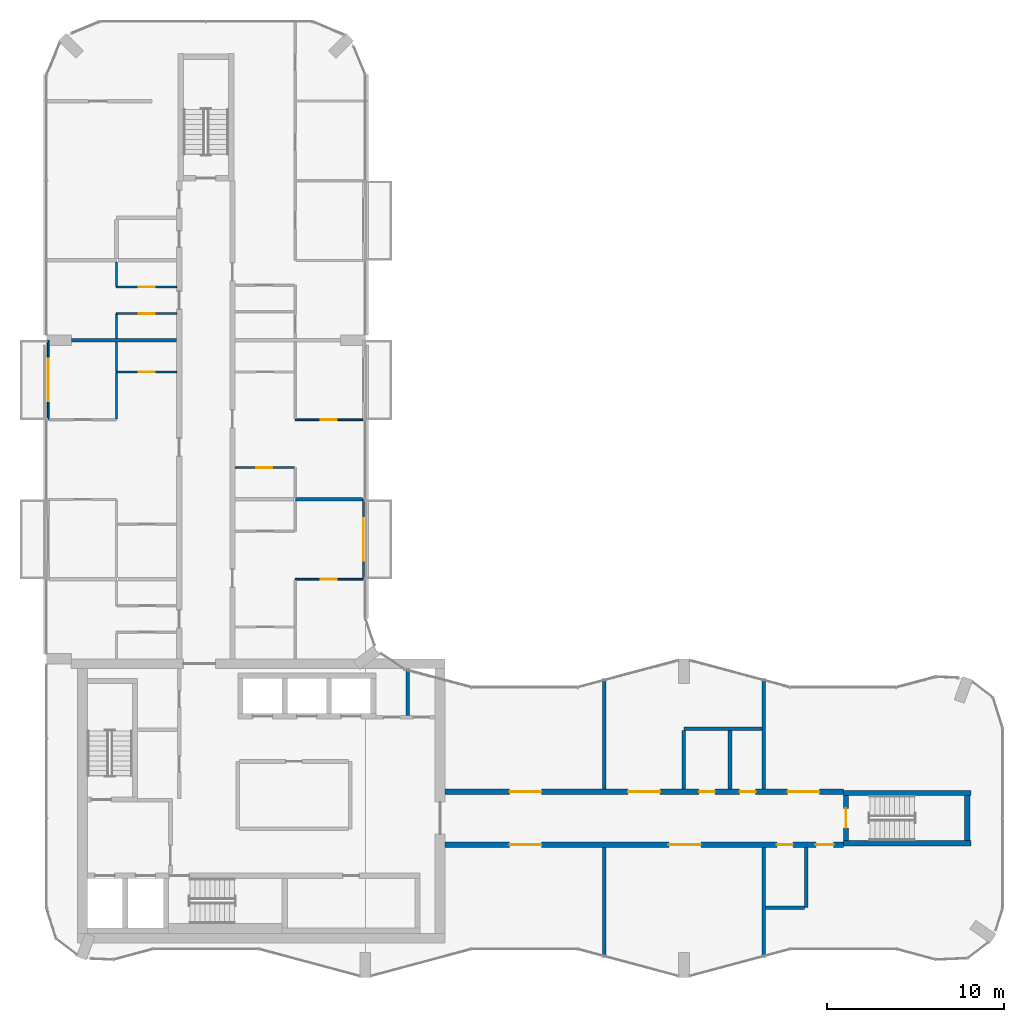
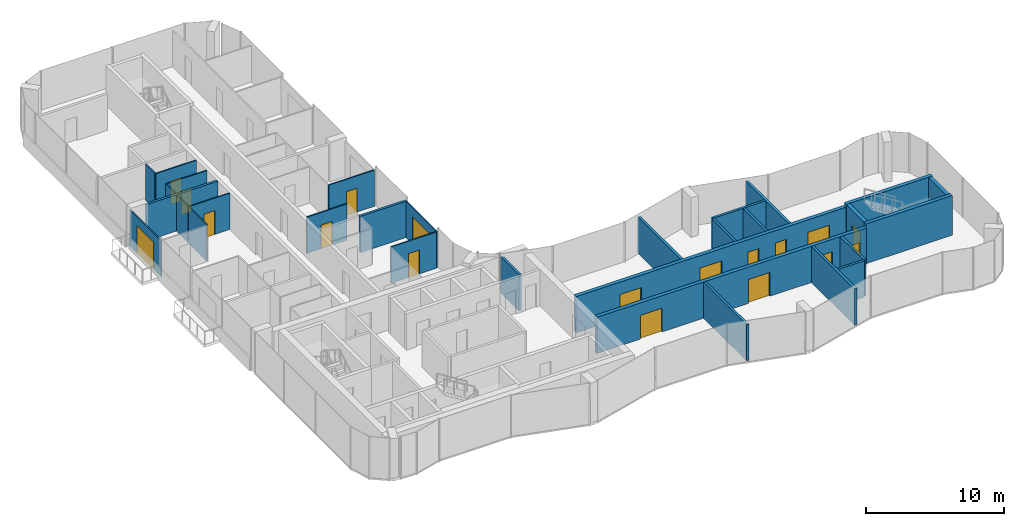
# One storey, part 11 of 16: 30 walls, 18 doors, 18 openings.
"""IFC4 building model written with IfcOpenShell, lengths in metres."""

from ifc_helpers import new_model, si_unit, direction, frame, frame_2d, origin, place, context, subcontext, project, spatial, rectangle, extrude, material, layer, layer_set, type_object, element, fill, save


model = new_model("IFC4")

# Units and contexts
model_context = context("Model", 3, precision=1e-05, world=origin(), true_north=direction((0.0, 1.0)))
body_context = subcontext(model_context, "Body", "Model", "MODEL_VIEW")
ifc_project = project(units=[si_unit("LENGTHUNIT", "METRE"), si_unit("AREAUNIT", "SQUARE_METRE"), si_unit("VOLUMEUNIT", "CUBIC_METRE"), si_unit("PLANEANGLEUNIT", "RADIAN"), si_unit("MASSUNIT", "GRAM", prefix="KILO")], contexts=[model_context])

# Site, building, storey
site_placement = place(None, origin())
site = spatial("IfcSite", under=ifc_project, at=site_placement, CompositionType="ELEMENT")
building_placement = place(site_placement, origin())
building = spatial("IfcBuilding", under=site, at=building_placement, Name="Plateau Cross Towers", CompositionType="ELEMENT")
storey_placement = place(building_placement, frame((0.0, 0.0, 181.39990234375)))
storey = spatial("IfcBuildingStorey", under=building, at=storey_placement, Name="L47", CompositionType="ELEMENT", Elevation=181.39990234375)

# Wall, opening, door
ifc_material_1 = material(Name="Aluminium framed glazing", Category="aluminium")
ifc_layer_1 = layer(ifc_material_1, 0.10009765625)
ifc_layer_set_1 = layer_set([ifc_layer_1], Name="Aluminium framed glazing")
wall_type_1 = type_object("IfcWallType", Name="Balcony screen wall 100", PredefinedType="STANDARD", material=ifc_layer_set_1)
wall_1_placement = place(storey_placement, frame((0.10009765625, 31.5, 0.0), z_axis=(0.0, 0.0, 1.0), x_axis=(0.0, 1.0, 0.0)))
wall_1 = element("IfcWall", 1, at=wall_1_placement, inside=storey, type_object=wall_type_1, Name="Balcony screen wall A-BAL-L47-02", PredefinedType="STANDARD", context=body_context, shape_type="SweptSolid", body=[
    extrude(rectangle(XDim=4.5, YDim=0.10009765625, at=frame_2d((2.25, 0.0))), origin(), (0.0, 0.0, 1.0), 3.2001953125),
])
opening_1_placement = place(wall_1_placement, frame((1.050048828125, 0.0, 0.0)))
opening_1 = element("IfcOpeningElement", 2, at=opening_1_placement, cuts=wall_1, Name="Opening D-B24", PredefinedType="OPENING", context=body_context, shape_type="SweptSolid", body=[
    extrude(rectangle(XDim=2.39990234375, YDim=2.39990234375, at=frame_2d((1.199951171875, 1.199951171875))), frame((0.0, 0.06005859375, 0.0), z_axis=(0.0, -1.0, 0.0), x_axis=(1.0, 0.0, 0.0)), (0.0, 0.0, 1.0), 0.1201171875),
])
ifc_material_2 = material(Name="Aluminium frame, double glazing", Category="aluminium")
door_type_1 = type_object("IfcDoorType", Name="Balcony sliding door 2400", OperationType="NOTDEFINED", PredefinedType="DOOR", material=ifc_material_2)
door_1_placement = place(opening_1_placement, origin())
door_1 = element("IfcDoor", 3, at=door_1_placement, inside=storey, type_object=door_type_1, Name="Balcony door A-BAL-L47-02", OperationType="SINGLE_SWING_LEFT", OverallHeight=2.39990234375, OverallWidth=2.39990234375, PredefinedType="DOOR", context=body_context, shape_type="SweptSolid", body=[
    extrude(rectangle(XDim=2.39990234375, YDim=2.39990234375, at=frame_2d((1.199951171875, 1.199951171875))), frame((0.0, 0.02490234375, 0.0), z_axis=(0.0, -1.0, 0.0), x_axis=(1.0, 0.0, 0.0)), (0.0, 0.0, 1.0), 0.050048828125),
])
fill(opening_1, door_1)

wall_2_placement = place(storey_placement, frame((17.89990234375, 27.0, 0.0), z_axis=(0.0, 0.0, 1.0), x_axis=(0.0, -1.0, 0.0)))
wall_2 = element("IfcWall", 4, at=wall_2_placement, inside=storey, type_object=wall_type_1, Name="Balcony screen wall A-BAL-L47-03", PredefinedType="STANDARD", context=body_context, shape_type="SweptSolid", body=[
    extrude(rectangle(XDim=4.5, YDim=0.10009765625, at=frame_2d((2.25, 0.0))), origin(), (0.0, 0.0, 1.0), 3.2001953125),
])
opening_2_placement = place(wall_2_placement, frame((1.050048828125, 0.0, 0.0)))
opening_2 = element("IfcOpeningElement", 5, at=opening_2_placement, cuts=wall_2, Name="Opening D-B24", PredefinedType="OPENING", context=body_context, shape_type="SweptSolid", body=[
    extrude(rectangle(XDim=2.39990234375, YDim=2.39990234375, at=frame_2d((1.199951171875, 1.199951171875))), frame((0.0, 0.06005859375, 0.0), z_axis=(0.0, -1.0, 0.0), x_axis=(1.0, 0.0, 0.0)), (0.0, 0.0, 1.0), 0.1201171875),
])
door_2_placement = place(opening_2_placement, origin())
door_2 = element("IfcDoor", 6, at=door_2_placement, inside=storey, type_object=door_type_1, Name="Balcony door A-BAL-L47-03", OperationType="SINGLE_SWING_LEFT", OverallHeight=2.39990234375, OverallWidth=2.39990234375, PredefinedType="DOOR", context=body_context, shape_type="SweptSolid", body=[
    extrude(rectangle(XDim=2.39990234375, YDim=2.39990234375, at=frame_2d((1.199951171875, 1.199951171875))), frame((0.0, 0.02490234375, 0.0), z_axis=(0.0, -1.0, 0.0), x_axis=(1.0, 0.0, 0.0)), (0.0, 0.0, 1.0), 0.050048828125),
])
fill(opening_2, door_2)

# Wall
ifc_material_3 = material(Name="Concrete block, plastered both sides", Category="concrete")
ifc_layer_2 = layer(ifc_material_3, 0.199951171875)
ifc_layer_set_2 = layer_set([ifc_layer_2], Name="Concrete block, plastered both sides")
wall_type_2 = type_object("IfcWallType", Name="Core partition 200", PredefinedType="PARTITIONING", material=ifc_layer_set_2)
wall_3_placement = place(storey_placement, frame((20.39990234375, 14.800048828125, 0.0), z_axis=(0.0, 0.0, 1.0), x_axis=(0.0, 1.0, 0.0)))
element("IfcWall", 7, at=wall_3_placement, inside=storey, type_object=wall_type_2, Name="Core partition", PredefinedType="PARTITIONING", context=body_context, shape_type="SweptSolid", body=[
    extrude(rectangle(XDim=2.64990234375, YDim=0.199951171875, at=frame_2d((1.324951171875, 0.0))), origin(), (0.0, 0.0, 1.0), 3.2001953125),
])

# Wall, openings, doors
ifc_material_4 = material(Name="Concrete C60/75", Category="concrete")
ifc_layer_3 = layer(ifc_material_4, 0.300048828125)
ifc_layer_set_3 = layer_set([ifc_layer_3], Name="Concrete C60/75")
wall_type_3 = type_object("IfcWallType", Name="Corridor wall 300", PredefinedType="SHEAR", material=ifc_layer_set_3)
wall_4_placement = place(storey_placement, frame((22.5, 7.5, 0.0), z_axis=(0.0, 0.0, 1.0), x_axis=(1.0, 0.0, 0.0)))
wall_4 = element("IfcWall", 8, at=wall_4_placement, inside=storey, type_object=wall_type_3, Name="A-cw-S1@L47", PredefinedType="SHEAR", context=body_context, shape_type="SweptSolid", body=[
    extrude(rectangle(XDim=22.5, YDim=0.300048828125, at=frame_2d((11.25, 0.0))), origin(), (0.0, 0.0, 1.0), 3.2001953125),
])
opening_3_placement = place(wall_4_placement, frame((3.64990234375, 0.0, 0.0)))
opening_3 = element("IfcOpeningElement", 9, at=opening_3_placement, cuts=wall_4, Name="Opening 47-01", PredefinedType="OPENING", context=body_context, shape_type="SweptSolid", body=[
    extrude(rectangle(XDim=1.800048828125, YDim=2.10009765625, at=frame_2d((0.89990234375, 1.050048828125))), frame((0.0, 0.159912109375, 0.0), z_axis=(0.0, -1.0, 0.0), x_axis=(1.0, 0.0, 0.0)), (0.0, 0.0, 1.0), 0.320068359375),
])
opening_4_placement = place(wall_4_placement, frame((12.64990234375, 0.0, 0.0)))
opening_4 = element("IfcOpeningElement", 10, at=opening_4_placement, cuts=wall_4, Name="Opening 47-02", PredefinedType="OPENING", context=body_context, shape_type="SweptSolid", body=[
    extrude(rectangle(XDim=1.800048828125, YDim=2.10009765625, at=frame_2d((0.89990234375, 1.050048828125))), frame((0.0, 0.159912109375, 0.0), z_axis=(0.0, -1.0, 0.0), x_axis=(1.0, 0.0, 0.0)), (0.0, 0.0, 1.0), 0.320068359375),
])
opening_5_placement = place(wall_4_placement, frame((18.75, 0.0, 0.0)))
opening_5 = element("IfcOpeningElement", 11, at=opening_5_placement, cuts=wall_4, Name="Opening 47-03", PredefinedType="OPENING", context=body_context, shape_type="SweptSolid", body=[
    extrude(rectangle(XDim=0.89990234375, YDim=2.10009765625, at=frame_2d((0.449951171875, 1.050048828125))), frame((0.0, 0.159912109375, 0.0), z_axis=(0.0, -1.0, 0.0), x_axis=(1.0, 0.0, 0.0)), (0.0, 0.0, 1.0), 0.320068359375),
])
opening_6_placement = place(wall_4_placement, frame((20.949951171875, 0.0, 0.0)))
opening_6 = element("IfcOpeningElement", 12, at=opening_6_placement, cuts=wall_4, Name="Opening 47-04", PredefinedType="OPENING", context=body_context, shape_type="SweptSolid", body=[
    extrude(rectangle(XDim=1.0, YDim=2.10009765625, at=frame_2d((0.5, 1.050048828125))), frame((0.0, 0.159912109375, 0.0), z_axis=(0.0, -1.0, 0.0), x_axis=(1.0, 0.0, 0.0)), (0.0, 0.0, 1.0), 0.320068359375),
])
ifc_material_5 = material(Name="Timber, fire-resisting leaf", Category="wood")
door_type_2 = type_object("IfcDoorType", Name="Flat entrance door 1000", OperationType="NOTDEFINED", PredefinedType="DOOR", material=ifc_material_5)
door_3_placement = place(opening_6_placement, origin())
door_3 = element("IfcDoor", 13, at=door_3_placement, inside=storey, type_object=door_type_2, Name="Door 47-04", OperationType="SINGLE_SWING_RIGHT", OverallHeight=2.10009765625, OverallWidth=1.0, PredefinedType="DOOR", context=body_context, shape_type="SweptSolid", body=[
    extrude(rectangle(XDim=1.0, YDim=2.10009765625, at=frame_2d((0.5, 1.050048828125))), frame((0.0, 0.02490234375, 0.0), z_axis=(0.0, -1.0, 0.0), x_axis=(1.0, 0.0, 0.0)), (0.0, 0.0, 1.0), 0.050048828125),
])
fill(opening_6, door_3)
ifc_material_6 = material(Name="Timber, fire-resisting leaves", Category="wood")
door_type_3 = type_object("IfcDoorType", Name="Flat floor fire door pair 1800", OperationType="NOTDEFINED", PredefinedType="DOOR", material=ifc_material_6)
door_4_placement = place(opening_3_placement, origin())
door_4 = element("IfcDoor", 14, at=door_4_placement, inside=storey, type_object=door_type_3, Name="Door 47-01", OperationType="SINGLE_SWING_LEFT", OverallHeight=2.10009765625, OverallWidth=1.800048828125, PredefinedType="DOOR", context=body_context, shape_type="SweptSolid", body=[
    extrude(rectangle(XDim=1.800048828125, YDim=2.10009765625, at=frame_2d((0.89990234375, 1.050048828125))), frame((0.0, 0.02490234375, 0.0), z_axis=(0.0, -1.0, 0.0), x_axis=(1.0, 0.0, 0.0)), (0.0, 0.0, 1.0), 0.050048828125),
])
fill(opening_3, door_4)
door_5_placement = place(opening_4_placement, origin())
door_5 = element("IfcDoor", 15, at=door_5_placement, inside=storey, type_object=door_type_3, Name="Door 47-02", OperationType="SINGLE_SWING_RIGHT", OverallHeight=2.10009765625, OverallWidth=1.800048828125, PredefinedType="DOOR", context=body_context, shape_type="SweptSolid", body=[
    extrude(rectangle(XDim=1.800048828125, YDim=2.10009765625, at=frame_2d((0.89990234375, 1.050048828125))), frame((0.0, 0.02490234375, 0.0), z_axis=(0.0, -1.0, 0.0), x_axis=(1.0, 0.0, 0.0)), (0.0, 0.0, 1.0), 0.050048828125),
])
fill(opening_4, door_5)
door_type_4 = type_object("IfcDoorType", Name="Flat floor service door 900", OperationType="NOTDEFINED", PredefinedType="DOOR", material=ifc_material_5)
door_6_placement = place(opening_5_placement, origin())
door_6 = element("IfcDoor", 16, at=door_6_placement, inside=storey, type_object=door_type_4, Name="Door 47-03", OperationType="SINGLE_SWING_RIGHT", OverallHeight=2.10009765625, OverallWidth=0.89990234375, PredefinedType="DOOR", context=body_context, shape_type="SweptSolid", body=[
    extrude(rectangle(XDim=0.89990234375, YDim=2.10009765625, at=frame_2d((0.449951171875, 1.050048828125))), frame((0.0, 0.02490234375, 0.0), z_axis=(0.0, -1.0, 0.0), x_axis=(1.0, 0.0, 0.0)), (0.0, 0.0, 1.0), 0.050048828125),
])
fill(opening_5, door_6)

wall_5_placement = place(storey_placement, frame((22.5, 10.5, 0.0), z_axis=(0.0, 0.0, 1.0), x_axis=(1.0, 0.0, 0.0)))
wall_5 = element("IfcWall", 17, at=wall_5_placement, inside=storey, type_object=wall_type_3, Name="A-cw-S2@L47", PredefinedType="SHEAR", context=body_context, shape_type="SweptSolid", body=[
    extrude(rectangle(XDim=22.5, YDim=0.300048828125, at=frame_2d((11.25, 0.0))), origin(), (0.0, 0.0, 1.0), 3.2001953125),
])
opening_7_placement = place(wall_5_placement, frame((3.64990234375, 0.0, 0.0)))
opening_7 = element("IfcOpeningElement", 18, at=opening_7_placement, cuts=wall_5, Name="Opening 47-05", PredefinedType="OPENING", context=body_context, shape_type="SweptSolid", body=[
    extrude(rectangle(XDim=1.800048828125, YDim=2.10009765625, at=frame_2d((0.89990234375, 1.050048828125))), frame((0.0, 0.159912109375, 0.0), z_axis=(0.0, -1.0, 0.0), x_axis=(1.0, 0.0, 0.0)), (0.0, 0.0, 1.0), 0.320068359375),
])
opening_8_placement = place(wall_5_placement, frame((10.35009765625, 0.0, 0.0)))
opening_8 = element("IfcOpeningElement", 19, at=opening_8_placement, cuts=wall_5, Name="Opening 47-06", PredefinedType="OPENING", context=body_context, shape_type="SweptSolid", body=[
    extrude(rectangle(XDim=1.800048828125, YDim=2.10009765625, at=frame_2d((0.89990234375, 1.050048828125))), frame((0.0, 0.159912109375, 0.0), z_axis=(0.0, -1.0, 0.0), x_axis=(1.0, 0.0, 0.0)), (0.0, 0.0, 1.0), 0.320068359375),
])
opening_9_placement = place(wall_5_placement, frame((14.35009765625, 0.0, 0.0)))
opening_9 = element("IfcOpeningElement", 20, at=opening_9_placement, cuts=wall_5, Name="Opening 47-07", PredefinedType="OPENING", context=body_context, shape_type="SweptSolid", body=[
    extrude(rectangle(XDim=0.89990234375, YDim=2.10009765625, at=frame_2d((0.449951171875, 1.050048828125))), frame((0.0, 0.159912109375, 0.0), z_axis=(0.0, -1.0, 0.0), x_axis=(1.0, 0.0, 0.0)), (0.0, 0.0, 1.0), 0.320068359375),
])
opening_10_placement = place(wall_5_placement, frame((16.64990234375, 0.0, 0.0)))
opening_10 = element("IfcOpeningElement", 21, at=opening_10_placement, cuts=wall_5, Name="Opening 47-08", PredefinedType="OPENING", context=body_context, shape_type="SweptSolid", body=[
    extrude(rectangle(XDim=0.89990234375, YDim=2.10009765625, at=frame_2d((0.449951171875, 1.050048828125))), frame((0.0, 0.159912109375, 0.0), z_axis=(0.0, -1.0, 0.0), x_axis=(1.0, 0.0, 0.0)), (0.0, 0.0, 1.0), 0.320068359375),
])
opening_11_placement = place(wall_5_placement, frame((19.35009765625, 0.0, 0.0)))
opening_11 = element("IfcOpeningElement", 22, at=opening_11_placement, cuts=wall_5, Name="Opening 47-09", PredefinedType="OPENING", context=body_context, shape_type="SweptSolid", body=[
    extrude(rectangle(XDim=1.800048828125, YDim=2.10009765625, at=frame_2d((0.89990234375, 1.050048828125))), frame((0.0, 0.159912109375, 0.0), z_axis=(0.0, -1.0, 0.0), x_axis=(1.0, 0.0, 0.0)), (0.0, 0.0, 1.0), 0.320068359375),
])
door_7_placement = place(opening_7_placement, origin())
door_7 = element("IfcDoor", 23, at=door_7_placement, inside=storey, type_object=door_type_3, Name="Door 47-05", OperationType="SINGLE_SWING_LEFT", OverallHeight=2.10009765625, OverallWidth=1.800048828125, PredefinedType="DOOR", context=body_context, shape_type="SweptSolid", body=[
    extrude(rectangle(XDim=1.800048828125, YDim=2.10009765625, at=frame_2d((0.89990234375, 1.050048828125))), frame((0.0, 0.02490234375, 0.0), z_axis=(0.0, -1.0, 0.0), x_axis=(1.0, 0.0, 0.0)), (0.0, 0.0, 1.0), 0.050048828125),
])
fill(opening_7, door_7)
door_8_placement = place(opening_8_placement, origin())
door_8 = element("IfcDoor", 24, at=door_8_placement, inside=storey, type_object=door_type_3, Name="Door 47-06", OperationType="SINGLE_SWING_LEFT", OverallHeight=2.10009765625, OverallWidth=1.800048828125, PredefinedType="DOOR", context=body_context, shape_type="SweptSolid", body=[
    extrude(rectangle(XDim=1.800048828125, YDim=2.10009765625, at=frame_2d((0.89990234375, 1.050048828125))), frame((0.0, 0.02490234375, 0.0), z_axis=(0.0, -1.0, 0.0), x_axis=(1.0, 0.0, 0.0)), (0.0, 0.0, 1.0), 0.050048828125),
])
fill(opening_8, door_8)
door_9_placement = place(opening_11_placement, origin())
door_9 = element("IfcDoor", 25, at=door_9_placement, inside=storey, type_object=door_type_3, Name="Door 47-09", OperationType="SINGLE_SWING_RIGHT", OverallHeight=2.10009765625, OverallWidth=1.800048828125, PredefinedType="DOOR", context=body_context, shape_type="SweptSolid", body=[
    extrude(rectangle(XDim=1.800048828125, YDim=2.10009765625, at=frame_2d((0.89990234375, 1.050048828125))), frame((0.0, 0.02490234375, 0.0), z_axis=(0.0, -1.0, 0.0), x_axis=(1.0, 0.0, 0.0)), (0.0, 0.0, 1.0), 0.050048828125),
])
fill(opening_11, door_9)
door_10_placement = place(opening_9_placement, origin())
door_10 = element("IfcDoor", 26, at=door_10_placement, inside=storey, type_object=door_type_4, Name="Door 47-07", OperationType="SINGLE_SWING_RIGHT", OverallHeight=2.10009765625, OverallWidth=0.89990234375, PredefinedType="DOOR", context=body_context, shape_type="SweptSolid", body=[
    extrude(rectangle(XDim=0.89990234375, YDim=2.10009765625, at=frame_2d((0.449951171875, 1.050048828125))), frame((0.0, 0.02490234375, 0.0), z_axis=(0.0, -1.0, 0.0), x_axis=(1.0, 0.0, 0.0)), (0.0, 0.0, 1.0), 0.050048828125),
])
fill(opening_9, door_10)
door_11_placement = place(opening_10_placement, origin())
door_11 = element("IfcDoor", 27, at=door_11_placement, inside=storey, type_object=door_type_4, Name="Door 47-08", OperationType="SINGLE_SWING_RIGHT", OverallHeight=2.10009765625, OverallWidth=0.89990234375, PredefinedType="DOOR", context=body_context, shape_type="SweptSolid", body=[
    extrude(rectangle(XDim=0.89990234375, YDim=2.10009765625, at=frame_2d((0.449951171875, 1.050048828125))), frame((0.0, 0.02490234375, 0.0), z_axis=(0.0, -1.0, 0.0), x_axis=(1.0, 0.0, 0.0)), (0.0, 0.0, 1.0), 0.050048828125),
])
fill(opening_10, door_11)

# Wall, opening, door
ifc_material_7 = material(Name="Gypsum board on steel studs", Category="steel")
ifc_layer_4 = layer(ifc_material_7, 0.10009765625)
ifc_layer_set_4 = layer_set([ifc_layer_4], Name="Gypsum board on steel studs")
wall_type_4 = type_object("IfcWallType", Name="Flat partition 100", PredefinedType="PARTITIONING", material=ifc_layer_set_4)
wall_6_placement = place(storey_placement, frame((17.85009765625, 22.5, 0.0), z_axis=(0.0, 0.0, 1.0), x_axis=(-1.0, 0.0, 0.0)))
wall_6 = element("IfcWall", 28, at=wall_6_placement, inside=storey, type_object=wall_type_4, Name="Partition wall", PredefinedType="PARTITIONING", context=body_context, shape_type="SweptSolid", body=[
    extrude(rectangle(XDim=3.800048828125, YDim=0.10009765625, at=frame_2d((1.89990234375, 0.0))), origin(), (0.0, 0.0, 1.0), 3.2001953125),
])
opening_12_placement = place(wall_6_placement, frame((1.449951171875, 0.0, 0.0)))
opening_12 = element("IfcOpeningElement", 29, at=opening_12_placement, cuts=wall_6, Name="Opening 47-29", PredefinedType="OPENING", context=body_context, shape_type="SweptSolid", body=[
    extrude(rectangle(XDim=0.89990234375, YDim=2.10009765625, at=frame_2d((0.449951171875, 1.050048828125))), frame((0.0, 0.06005859375, 0.0), z_axis=(0.0, -1.0, 0.0), x_axis=(1.0, 0.0, 0.0)), (0.0, 0.0, 1.0), 0.1201171875),
])
ifc_material_8 = material(Name="Timber leaf", Category="wood")
door_type_5 = type_object("IfcDoorType", Name="Flat room door 900", OperationType="NOTDEFINED", PredefinedType="DOOR", material=ifc_material_8)
door_12_placement = place(opening_12_placement, origin())
door_12 = element("IfcDoor", 30, at=door_12_placement, inside=storey, type_object=door_type_5, Name="Door 47-29", OperationType="SINGLE_SWING_LEFT", OverallHeight=2.10009765625, OverallWidth=0.89990234375, PredefinedType="DOOR", context=body_context, shape_type="SweptSolid", body=[
    extrude(rectangle(XDim=0.89990234375, YDim=2.10009765625, at=frame_2d((0.449951171875, 1.050048828125))), frame((0.0, 0.02490234375, 0.0), z_axis=(0.0, -1.0, 0.0), x_axis=(1.0, 0.0, 0.0)), (0.0, 0.0, 1.0), 0.050048828125),
])
fill(opening_12, door_12)

wall_7_placement = place(storey_placement, frame((14.0, 28.800048828125, 0.0), z_axis=(0.0, 0.0, 1.0), x_axis=(-1.0, 0.0, 0.0)))
wall_7 = element("IfcWall", 31, at=wall_7_placement, inside=storey, type_object=wall_type_4, Name="Partition wall", PredefinedType="PARTITIONING", context=body_context, shape_type="SweptSolid", body=[
    extrude(rectangle(XDim=3.35009765625, YDim=0.10009765625, at=frame_2d((1.675048828125, 0.0))), origin(), (0.0, 0.0, 1.0), 3.2001953125),
])
opening_13_placement = place(wall_7_placement, frame((1.25, 0.0, 0.0)))
opening_13 = element("IfcOpeningElement", 32, at=opening_13_placement, cuts=wall_7, Name="Opening 47-30", PredefinedType="OPENING", context=body_context, shape_type="SweptSolid", body=[
    extrude(rectangle(XDim=0.89990234375, YDim=2.10009765625, at=frame_2d((0.449951171875, 1.050048828125))), frame((0.0, 0.06005859375, 0.0), z_axis=(0.0, -1.0, 0.0), x_axis=(1.0, 0.0, 0.0)), (0.0, 0.0, 1.0), 0.1201171875),
])
door_13_placement = place(opening_13_placement, origin())
door_13 = element("IfcDoor", 33, at=door_13_placement, inside=storey, type_object=door_type_5, Name="Door 47-30", OperationType="SINGLE_SWING_RIGHT", OverallHeight=2.10009765625, OverallWidth=0.89990234375, PredefinedType="DOOR", context=body_context, shape_type="SweptSolid", body=[
    extrude(rectangle(XDim=0.89990234375, YDim=2.10009765625, at=frame_2d((0.449951171875, 1.050048828125))), frame((0.0, 0.02490234375, 0.0), z_axis=(0.0, -1.0, 0.0), x_axis=(1.0, 0.0, 0.0)), (0.0, 0.0, 1.0), 0.050048828125),
])
fill(opening_13, door_13)

wall_8_placement = place(storey_placement, frame((14.050048828125, 31.5, 0.0), z_axis=(0.0, 0.0, 1.0), x_axis=(1.0, 0.0, 0.0)))
wall_8 = element("IfcWall", 34, at=wall_8_placement, inside=storey, type_object=wall_type_4, Name="Partition wall", PredefinedType="PARTITIONING", context=body_context, shape_type="SweptSolid", body=[
    extrude(rectangle(XDim=3.800048828125, YDim=0.10009765625, at=frame_2d((1.89990234375, 0.0))), origin(), (0.0, 0.0, 1.0), 3.2001953125),
])
opening_14_placement = place(wall_8_placement, frame((1.449951171875, 0.0, 0.0)))
opening_14 = element("IfcOpeningElement", 35, at=opening_14_placement, cuts=wall_8, Name="Opening 47-32", PredefinedType="OPENING", context=body_context, shape_type="SweptSolid", body=[
    extrude(rectangle(XDim=0.89990234375, YDim=2.10009765625, at=frame_2d((0.449951171875, 1.050048828125))), frame((0.0, 0.06005859375, 0.0), z_axis=(0.0, -1.0, 0.0), x_axis=(1.0, 0.0, 0.0)), (0.0, 0.0, 1.0), 0.1201171875),
])
door_14_placement = place(opening_14_placement, origin())
door_14 = element("IfcDoor", 36, at=door_14_placement, inside=storey, type_object=door_type_5, Name="Door 47-32", OperationType="SINGLE_SWING_LEFT", OverallHeight=2.10009765625, OverallWidth=0.89990234375, PredefinedType="DOOR", context=body_context, shape_type="SweptSolid", body=[
    extrude(rectangle(XDim=0.89990234375, YDim=2.10009765625, at=frame_2d((0.449951171875, 1.050048828125))), frame((0.0, 0.02490234375, 0.0), z_axis=(0.0, -1.0, 0.0), x_axis=(1.0, 0.0, 0.0)), (0.0, 0.0, 1.0), 0.050048828125),
])
fill(opening_14, door_14)

wall_9_placement = place(storey_placement, frame((3.949951171875, 34.199951171875, 0.0), z_axis=(0.0, 0.0, 1.0), x_axis=(1.0, 0.0, 0.0)))
wall_9 = element("IfcWall", 37, at=wall_9_placement, inside=storey, type_object=wall_type_4, Name="Partition wall", PredefinedType="PARTITIONING", context=body_context, shape_type="SweptSolid", body=[
    extrude(rectangle(XDim=3.400146484375, YDim=0.10009765625, at=frame_2d((1.7001953125, 0.0))), origin(), (0.0, 0.0, 1.0), 3.2001953125),
])
opening_15_placement = place(wall_9_placement, frame((1.25, 0.0, 0.0)))
opening_15 = element("IfcOpeningElement", 38, at=opening_15_placement, cuts=wall_9, Name="Opening 47-22", PredefinedType="OPENING", context=body_context, shape_type="SweptSolid", body=[
    extrude(rectangle(XDim=0.89990234375, YDim=2.10009765625, at=frame_2d((0.449951171875, 1.050048828125))), frame((0.0, 0.06005859375, 0.0), z_axis=(0.0, -1.0, 0.0), x_axis=(1.0, 0.0, 0.0)), (0.0, 0.0, 1.0), 0.1201171875),
])
door_15_placement = place(opening_15_placement, origin())
door_15 = element("IfcDoor", 39, at=door_15_placement, inside=storey, type_object=door_type_5, Name="Door 47-22", OperationType="SINGLE_SWING_RIGHT", OverallHeight=2.10009765625, OverallWidth=0.89990234375, PredefinedType="DOOR", context=body_context, shape_type="SweptSolid", body=[
    extrude(rectangle(XDim=0.89990234375, YDim=2.10009765625, at=frame_2d((0.449951171875, 1.050048828125))), frame((0.0, 0.02490234375, 0.0), z_axis=(0.0, -1.0, 0.0), x_axis=(1.0, 0.0, 0.0)), (0.0, 0.0, 1.0), 0.050048828125),
])
fill(opening_15, door_15)

wall_10_placement = place(storey_placement, frame((7.35009765625, 37.5, 0.0), z_axis=(0.0, 0.0, 1.0), x_axis=(-1.0, 0.0, 0.0)))
wall_10 = element("IfcWall", 40, at=wall_10_placement, inside=storey, type_object=wall_type_4, Name="Partition wall", PredefinedType="PARTITIONING", context=body_context, shape_type="SweptSolid", body=[
    extrude(rectangle(XDim=3.400146484375, YDim=0.10009765625, at=frame_2d((1.7001953125, 0.0))), origin(), (0.0, 0.0, 1.0), 3.2001953125),
])
opening_16_placement = place(wall_10_placement, frame((1.25, 0.0, 0.0)))
opening_16 = element("IfcOpeningElement", 41, at=opening_16_placement, cuts=wall_10, Name="Opening 47-25", PredefinedType="OPENING", context=body_context, shape_type="SweptSolid", body=[
    extrude(rectangle(XDim=0.89990234375, YDim=2.10009765625, at=frame_2d((0.449951171875, 1.050048828125))), frame((0.0, 0.06005859375, 0.0), z_axis=(0.0, -1.0, 0.0), x_axis=(1.0, 0.0, 0.0)), (0.0, 0.0, 1.0), 0.1201171875),
])
door_16_placement = place(opening_16_placement, origin())
door_16 = element("IfcDoor", 42, at=door_16_placement, inside=storey, type_object=door_type_5, Name="Door 47-25", OperationType="SINGLE_SWING_RIGHT", OverallHeight=2.10009765625, OverallWidth=0.89990234375, PredefinedType="DOOR", context=body_context, shape_type="SweptSolid", body=[
    extrude(rectangle(XDim=0.89990234375, YDim=2.10009765625, at=frame_2d((0.449951171875, 1.050048828125))), frame((0.0, 0.02490234375, 0.0), z_axis=(0.0, -1.0, 0.0), x_axis=(1.0, 0.0, 0.0)), (0.0, 0.0, 1.0), 0.050048828125),
])
fill(opening_16, door_16)

wall_11_placement = place(storey_placement, frame((3.949951171875, 39.0, 0.0), z_axis=(0.0, 0.0, 1.0), x_axis=(1.0, 0.0, 0.0)))
wall_11 = element("IfcWall", 43, at=wall_11_placement, inside=storey, type_object=wall_type_4, Name="Partition wall", PredefinedType="PARTITIONING", context=body_context, shape_type="SweptSolid", body=[
    extrude(rectangle(XDim=3.400146484375, YDim=0.10009765625, at=frame_2d((1.7001953125, 0.0))), origin(), (0.0, 0.0, 1.0), 3.2001953125),
])
opening_17_placement = place(wall_11_placement, frame((1.25, 0.0, 0.0)))
opening_17 = element("IfcOpeningElement", 44, at=opening_17_placement, cuts=wall_11, Name="Opening 47-26", PredefinedType="OPENING", context=body_context, shape_type="SweptSolid", body=[
    extrude(rectangle(XDim=0.89990234375, YDim=2.10009765625, at=frame_2d((0.449951171875, 1.050048828125))), frame((0.0, 0.06005859375, 0.0), z_axis=(0.0, -1.0, 0.0), x_axis=(1.0, 0.0, 0.0)), (0.0, 0.0, 1.0), 0.1201171875),
])
door_17_placement = place(opening_17_placement, origin())
door_17 = element("IfcDoor", 45, at=door_17_placement, inside=storey, type_object=door_type_5, Name="Door 47-26", OperationType="SINGLE_SWING_RIGHT", OverallHeight=2.10009765625, OverallWidth=0.89990234375, PredefinedType="DOOR", context=body_context, shape_type="SweptSolid", body=[
    extrude(rectangle(XDim=0.89990234375, YDim=2.10009765625, at=frame_2d((0.449951171875, 1.050048828125))), frame((0.0, 0.02490234375, 0.0), z_axis=(0.0, -1.0, 0.0), x_axis=(1.0, 0.0, 0.0)), (0.0, 0.0, 1.0), 0.050048828125),
])
fill(opening_17, door_17)

# Walls
wall_12_placement = place(storey_placement, frame((3.949951171875, 35.89990234375, 0.0), z_axis=(0.0, 0.0, 1.0), x_axis=(0.0, -1.0, 0.0)))
element("IfcWall", 46, at=wall_12_placement, inside=storey, type_object=wall_type_4, Name="Partition wall", PredefinedType="PARTITIONING", context=body_context, shape_type="SweptSolid", body=[
    extrude(rectangle(XDim=1.64990234375, YDim=0.10009765625, at=frame_2d((0.824951171875, 0.0))), origin(), (0.0, 0.0, 1.0), 3.2001953125),
])
for number, where, z_axis, x_axis, name in (
    (47, (3.949951171875, 37.449951171875, 0.0), (0.0, 0.0, 1.0), (0.0, -1.0, 0.0), "Partition wall"),
    (48, (3.949951171875, 40.39990234375, 0.0), (0.0, 0.0, 1.0), (0.0, -1.0, 0.0), "Partition wall"),
):
    element("IfcWall", number, at=place(storey_placement, frame(where, z_axis=z_axis, x_axis=x_axis)), inside=storey, type_object=wall_type_4, Name=name, PredefinedType="PARTITIONING", context=body_context, shape_type="SweptSolid", body=[
        extrude(rectangle(XDim=1.349853515625, YDim=0.10009765625, at=frame_2d((0.6748046875, 0.0))), origin(), (0.0, 0.0, 1.0), 3.2001953125),
    ])
wall_13_placement = place(storey_placement, frame((3.949951171875, 31.550048828125, 0.0), z_axis=(0.0, 0.0, 1.0), x_axis=(0.0, 1.0, 0.0)))
element("IfcWall", 49, at=wall_13_placement, inside=storey, type_object=wall_type_4, Name="Partition wall", PredefinedType="PARTITIONING", context=body_context, shape_type="SweptSolid", body=[
    extrude(rectangle(XDim=2.599853515625, YDim=0.10009765625, at=frame_2d((1.2998046875, 0.0))), origin(), (0.0, 0.0, 1.0), 3.2001953125),
])
ifc_material_9 = material(Name="Gypsum board on steel studs, two layers each side", Category="steel")
ifc_layer_5 = layer(ifc_material_9, 0.199951171875)
ifc_layer_set_5 = layer_set([ifc_layer_5], Name="Gypsum board on steel studs, two layers each side")
wall_type_5 = type_object("IfcWallType", Name="Flat party wall 200", PredefinedType="PARTITIONING", material=ifc_layer_set_5)
wall_14_placement = place(storey_placement, frame((40.60009765625, 3.949951171875, 0.0), z_axis=(0.0, 0.0, 1.0), x_axis=(1.0, 0.0, 0.0)))
element("IfcWall", 50, at=wall_14_placement, inside=storey, type_object=wall_type_5, Name="Party wall", PredefinedType="PARTITIONING", context=body_context, shape_type="SweptSolid", body=[
    extrude(rectangle(XDim=2.199951171875, YDim=0.199951171875, at=frame_2d((1.10009765625, 0.0))), origin(), (0.0, 0.0, 1.0), 3.2001953125),
])
wall_15_placement = place(storey_placement, frame((36.0, 14.050048828125, 0.0), z_axis=(0.0, 0.0, 1.0), x_axis=(1.0, 0.0, 0.0)))
element("IfcWall", 51, at=wall_15_placement, inside=storey, type_object=wall_type_5, Name="Party wall", PredefinedType="PARTITIONING", context=body_context, shape_type="SweptSolid", body=[
    extrude(rectangle(XDim=4.39990234375, YDim=0.199951171875, at=frame_2d((2.199951171875, 0.0))), origin(), (0.0, 0.0, 1.0), 3.2001953125),
])
wall_16_placement = place(storey_placement, frame((14.050048828125, 27.0, 0.0), z_axis=(0.0, 0.0, 1.0), x_axis=(1.0, 0.0, 0.0)))
element("IfcWall", 52, at=wall_16_placement, inside=storey, type_object=wall_type_5, Name="Party wall", PredefinedType="PARTITIONING", context=body_context, shape_type="SweptSolid", body=[
    extrude(rectangle(XDim=3.800048828125, YDim=0.199951171875, at=frame_2d((1.89990234375, 0.0))), origin(), (0.0, 0.0, 1.0), 3.2001953125),
])
wall_17_placement = place(storey_placement, frame((7.35009765625, 36.0, 0.0), z_axis=(0.0, 0.0, 1.0), x_axis=(-1.0, 0.0, 0.0)))
element("IfcWall", 53, at=wall_17_placement, inside=storey, type_object=wall_type_5, Name="Party wall", PredefinedType="PARTITIONING", context=body_context, shape_type="SweptSolid", body=[
    extrude(rectangle(XDim=5.9501953125, YDim=0.199951171875, at=frame_2d((2.97509765625, 0.0))), origin(), (0.0, 0.0, 1.0), 3.2001953125),
])
for number, where, z_axis, x_axis, name in (
    (54, (31.5, 1.122314453125, 0.0), (0.0, 0.0, 1.0), (0.0, 1.0, 0.0), "Party wall"),
    (55, (31.5, 10.64990234375, 0.0), (0.0, 0.0, 1.0), (0.0, 1.0, 0.0), "Party wall"),
):
    element("IfcWall", number, at=place(storey_placement, frame(where, z_axis=z_axis, x_axis=x_axis)), inside=storey, type_object=wall_type_5, Name=name, PredefinedType="PARTITIONING", context=body_context, shape_type="SweptSolid", body=[
        extrude(rectangle(XDim=6.227783203125, YDim=0.199951171875, at=frame_2d((3.11376953125, 0.0))), origin(), (0.0, 0.0, 1.0), 3.2001953125),
    ])
for number, where, z_axis, x_axis, name in (
    (56, (36.0, 10.64990234375, 0.0), (0.0, 0.0, 1.0), (0.0, 1.0, 0.0), "Party wall"),
    (57, (38.60009765625, 10.64990234375, 0.0), (0.0, 0.0, 1.0), (0.0, 1.0, 0.0), "Party wall"),
):
    element("IfcWall", number, at=place(storey_placement, frame(where, z_axis=z_axis, x_axis=x_axis)), inside=storey, type_object=wall_type_5, Name=name, PredefinedType="PARTITIONING", context=body_context, shape_type="SweptSolid", body=[
        extrude(rectangle(XDim=3.300048828125, YDim=0.199951171875, at=frame_2d((1.64990234375, 0.0))), origin(), (0.0, 0.0, 1.0), 3.2001953125),
    ])
for number, where, z_axis, x_axis, name in (
    (58, (40.5, 1.122314453125, 0.0), (0.0, 0.0, 1.0), (0.0, 1.0, 0.0), "Party wall"),
    (59, (40.5, 10.64990234375, 0.0), (0.0, 0.0, 1.0), (0.0, 1.0, 0.0), "Party wall"),
):
    element("IfcWall", number, at=place(storey_placement, frame(where, z_axis=z_axis, x_axis=x_axis)), inside=storey, type_object=wall_type_5, Name=name, PredefinedType="PARTITIONING", context=body_context, shape_type="SweptSolid", body=[
        extrude(rectangle(XDim=6.227783203125, YDim=0.199951171875, at=frame_2d((3.11376953125, 0.0))), origin(), (0.0, 0.0, 1.0), 3.2001953125),
    ])
wall_18_placement = place(storey_placement, frame((42.89990234375, 3.949951171875, 0.0), z_axis=(0.0, 0.0, 1.0), x_axis=(0.0, 1.0, 0.0)))
element("IfcWall", 60, at=wall_18_placement, inside=storey, type_object=wall_type_5, Name="Party wall", PredefinedType="PARTITIONING", context=body_context, shape_type="SweptSolid", body=[
    extrude(rectangle(XDim=3.400146484375, YDim=0.199951171875, at=frame_2d((1.7001953125, 0.0))), origin(), (0.0, 0.0, 1.0), 3.2001953125),
])

# Wall, opening, door
ifc_layer_6 = layer(ifc_material_4, 0.300048828125)
ifc_layer_set_6 = layer_set([ifc_layer_6], Name="Concrete C60/75")
wall_type_6 = type_object("IfcWallType", Name="Stair tower wall 300", PredefinedType="SHEAR", material=ifc_layer_set_6)
wall_19_placement = place(storey_placement, frame((45.14990234375, 7.72509765625, 0.0), z_axis=(0.0, 0.0, 1.0), x_axis=(0.0, 1.0, 0.0)))
wall_19 = element("IfcWall", 61, at=wall_19_placement, inside=storey, type_object=wall_type_6, Name="A-end-E-W@L47", PredefinedType="SHEAR", context=body_context, shape_type="SweptSolid", body=[
    extrude(rectangle(XDim=2.5498046875, YDim=0.300048828125, at=frame_2d((1.27490234375, 0.0))), origin(), (0.0, 0.0, 1.0), 3.5),
])
opening_18_placement = place(wall_19_placement, frame((0.72509765625, 0.0, 0.0)))
opening_18 = element("IfcOpeningElement", 62, at=opening_18_placement, cuts=wall_19, Name="Opening SD", PredefinedType="OPENING", context=body_context, shape_type="SweptSolid", body=[
    extrude(rectangle(XDim=1.10009765625, YDim=2.10009765625, at=frame_2d((0.550048828125, 1.050048828125))), frame((0.0, 0.159912109375, 0.0), z_axis=(0.0, -1.0, 0.0), x_axis=(1.0, 0.0, 0.0)), (0.0, 0.0, 1.0), 0.320068359375),
])
ifc_material_10 = material(Name="Steel, fire-resisting leaf", Category="steel")
door_type_6 = type_object("IfcDoorType", Name="Stair door 1100", OperationType="NOTDEFINED", PredefinedType="DOOR", material=ifc_material_10)
door_18_placement = place(opening_18_placement, origin())
door_18 = element("IfcDoor", 63, at=door_18_placement, inside=storey, type_object=door_type_6, Name="Stair door SD", OperationType="SINGLE_SWING_LEFT", OverallHeight=2.10009765625, OverallWidth=1.10009765625, PredefinedType="DOOR", context=body_context, shape_type="SweptSolid", body=[
    extrude(rectangle(XDim=1.10009765625, YDim=2.10009765625, at=frame_2d((0.550048828125, 1.050048828125))), frame((0.0, 0.02490234375, 0.0), z_axis=(0.0, -1.0, 0.0), x_axis=(1.0, 0.0, 0.0)), (0.0, 0.0, 1.0), 0.050048828125),
])
fill(opening_18, door_18)

# Walls
wall_20_placement = place(storey_placement, frame((52.0, 7.72509765625, 0.0), z_axis=(0.0, 0.0, 1.0), x_axis=(0.0, 1.0, 0.0)))
element("IfcWall", 64, at=wall_20_placement, inside=storey, type_object=wall_type_6, Name="A-end-E-E@L47", PredefinedType="SHEAR", context=body_context, shape_type="SweptSolid", body=[
    extrude(rectangle(XDim=2.5498046875, YDim=0.300048828125, at=frame_2d((1.27490234375, 0.0))), origin(), (0.0, 0.0, 1.0), 3.5),
])
for number, where, z_axis, x_axis, name in (
    (65, (45.0, 7.574951171875, 0.0), (0.0, 0.0, 1.0), (1.0, 0.0, 0.0), "A-end-E-S@L47"),
    (66, (45.0, 10.425048828125, 0.0), (0.0, 0.0, 1.0), (1.0, 0.0, 0.0), "A-end-E-N@L47"),
):
    element("IfcWall", number, at=place(storey_placement, frame(where, z_axis=z_axis, x_axis=x_axis)), inside=storey, type_object=wall_type_6, Name=name, PredefinedType="SHEAR", context=body_context, shape_type="SweptSolid", body=[
        extrude(rectangle(XDim=7.199951171875, YDim=0.300048828125, at=frame_2d((3.60009765625, 0.0))), origin(), (0.0, 0.0, 1.0), 3.5),
    ])

save(model, "model.ifc")
